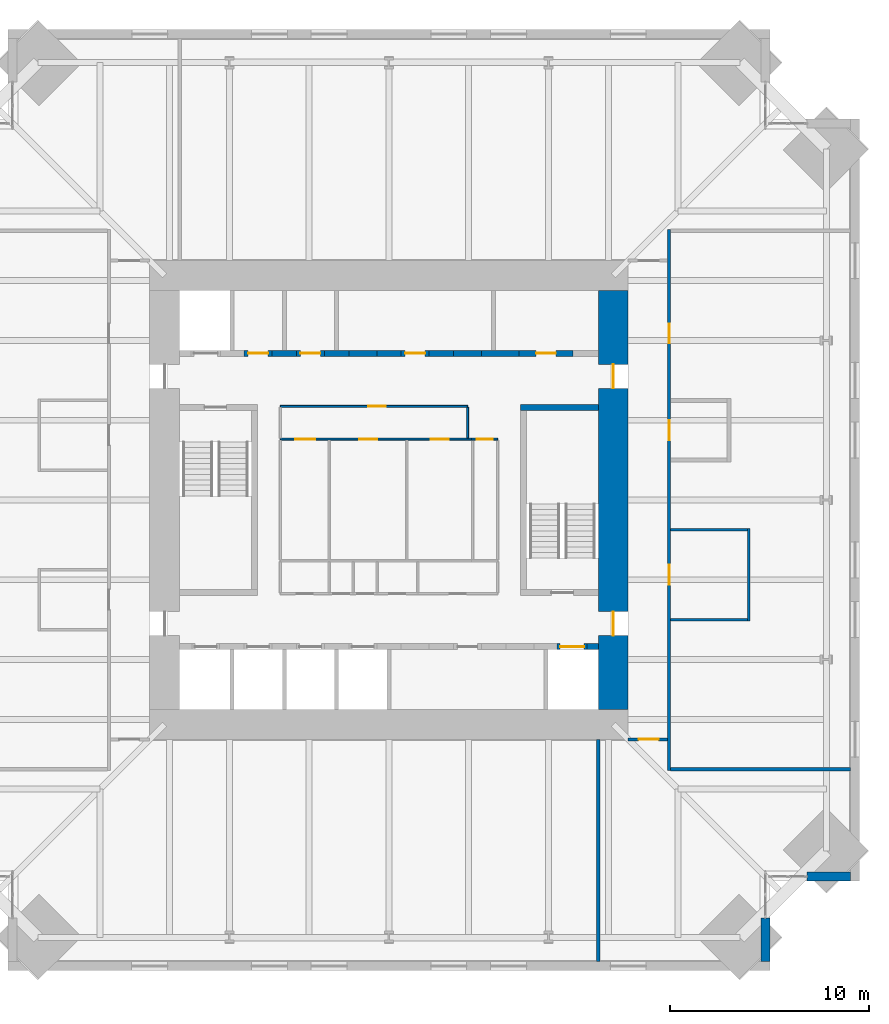
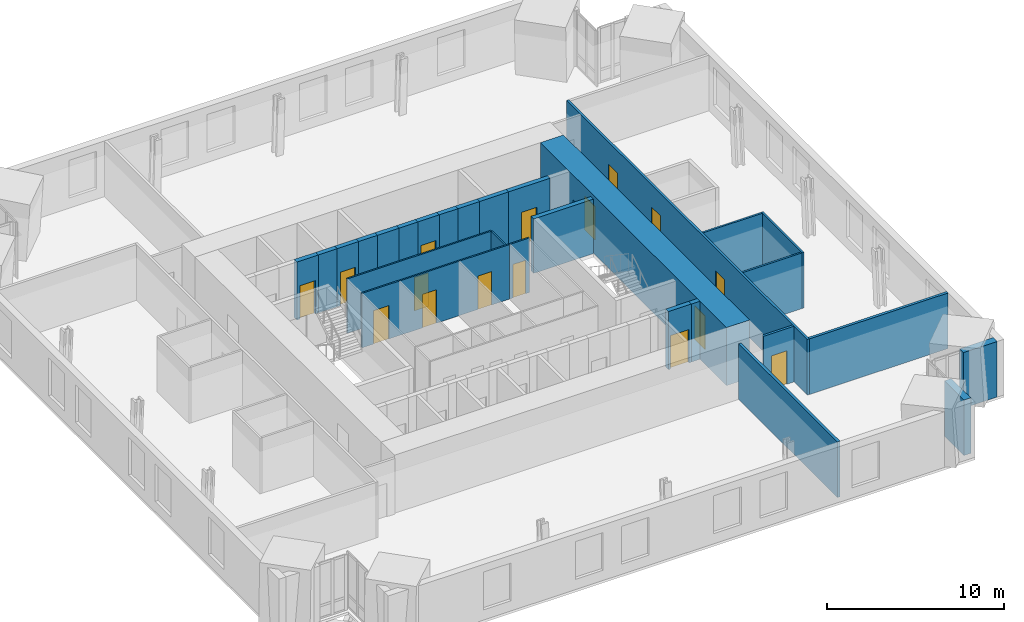
# One storey, part 12 of 14: 28 walls, 16 doors, 16 openings.
"""IFC4 building model written with IfcOpenShell, lengths in metres."""

from ifc_helpers import new_model, si_unit, direction, frame, frame_2d, origin, place, context, subcontext, project, spatial, rectangle, extrude, material, layer, layer_set, type_object, element, fill, save


model = new_model("IFC4")

# Units and contexts
model_context = context("Model", 3, precision=1e-05, world=origin(), true_north=direction((0.0, 1.0)))
body_context = subcontext(model_context, "Body", "Model", "MODEL_VIEW")
ifc_project = project(units=[si_unit("LENGTHUNIT", "METRE"), si_unit("AREAUNIT", "SQUARE_METRE"), si_unit("VOLUMEUNIT", "CUBIC_METRE"), si_unit("PLANEANGLEUNIT", "RADIAN"), si_unit("MASSUNIT", "GRAM", prefix="KILO")], contexts=[model_context])

# Site, building, storey
site_placement = place(None, origin())
site = spatial("IfcSite", under=ifc_project, at=site_placement, CompositionType="ELEMENT")
building_placement = place(site_placement, origin())
building = spatial("IfcBuilding", under=site, at=building_placement, Name="Peilmerk Tower", CompositionType="ELEMENT")
storey_placement = place(building_placement, frame((0.0, 0.0, 221.800048828125)))
storey = spatial("IfcBuildingStorey", under=building, at=storey_placement, Name="L48", CompositionType="ELEMENT", Elevation=221.800048828125)

# Walls
ifc_material_1 = material(Name="Precast concrete C45/55, board-marked finish", Category="concrete")
ifc_layer_1 = layer(ifc_material_1, 0.449951171875)
ifc_layer_set_1 = layer_set([ifc_layer_1], Name="Precast concrete C45/55, board-marked finish")
wall_type_1 = type_object("IfcWallType", Name="EW1 450 precast concrete facade wall, board-marked", PredefinedType="SOLIDWALL", material=ifc_layer_set_1)
for number, where, z_axis, x_axis, name in (
    (1, (18.875, -20.95361328125, 0.0), (0.0, 0.0, 1.0), (0.0, -1.0, 0.0), "Facade wall SEA L48"),
    (2, (20.95361328125, -18.875, 0.0), (0.0, 0.0, 1.0), (1.0, 0.0, 0.0), "Facade wall SEB L48"),
):
    element("IfcWall", number, at=place(storey_placement, frame(where, z_axis=z_axis, x_axis=x_axis)), inside=storey, type_object=wall_type_1, Name=name, PredefinedType="SOLIDWALL", context=body_context, shape_type="SweptSolid", body=[
        extrude(rectangle(XDim=2.1962890625, YDim=0.449951171875, at=frame_2d((1.09814453125, 0.0))), origin(), (0.0, 0.0, 1.0), 3.829833984375),
    ])

# Wall, openings, doors
ifc_material_2 = material(Name="Calcium silicate block", Category="masonry")
ifc_layer_2 = layer(ifc_material_2, 0.14990234375)
ifc_layer_set_2 = layer_set([ifc_layer_2], Name="Calcium silicate block")
wall_type_2 = type_object("IfcWallType", Name="IW1 150 corridor partition, EI 60", PredefinedType="PARTITIONING", material=ifc_layer_set_2)
wall_1_placement = place(storey_placement, frame((14.050048828125, -13.574951171875, 0.0), z_axis=(0.0, 0.0, 1.0), x_axis=(0.0, 1.0, 0.0)))
wall_1 = element("IfcWall", 3, at=wall_1_placement, inside=storey, type_object=wall_type_2, Name="Corridor wall E L48", PredefinedType="PARTITIONING", context=body_context, shape_type="SweptSolid", body=[
    extrude(rectangle(XDim=27.14990234375, YDim=0.14990234375, at=frame_2d((13.574951171875, 0.0))), origin(), (0.0, 0.0, 1.0), 3.829833984375),
])
opening_1_placement = place(wall_1_placement, frame((21.425048828125, 0.0, 0.0)))
opening_1 = element("IfcOpeningElement", 4, at=opening_1_placement, cuts=wall_1, Name="Opening D1", PredefinedType="OPENING", context=body_context, shape_type="SweptSolid", body=[
    extrude(rectangle(XDim=1.0, YDim=2.300048828125, at=frame_2d((0.5, 1.14990234375))), frame((0.0, 0.0849609375, 0.0), z_axis=(0.0, -1.0, 0.0), x_axis=(1.0, 0.0, 0.0)), (0.0, 0.0, 1.0), 0.169921875),
])
opening_2_placement = place(wall_1_placement, frame((9.324951171875, 0.0, 0.0)))
opening_2 = element("IfcOpeningElement", 5, at=opening_2_placement, cuts=wall_1, Name="Opening D1", PredefinedType="OPENING", context=body_context, shape_type="SweptSolid", body=[
    extrude(rectangle(XDim=1.0, YDim=2.300048828125, at=frame_2d((0.5, 1.14990234375))), frame((0.0, 0.0849609375, 0.0), z_axis=(0.0, -1.0, 0.0), x_axis=(1.0, 0.0, 0.0)), (0.0, 0.0, 1.0), 0.169921875),
])
opening_3_placement = place(wall_1_placement, frame((16.574951171875, 0.0, 0.0)))
opening_3 = element("IfcOpeningElement", 6, at=opening_3_placement, cuts=wall_1, Name="Opening D1", PredefinedType="OPENING", context=body_context, shape_type="SweptSolid", body=[
    extrude(rectangle(XDim=1.0, YDim=2.300048828125, at=frame_2d((0.5, 1.14990234375))), frame((0.0, 0.0849609375, 0.0), z_axis=(0.0, -1.0, 0.0), x_axis=(1.0, 0.0, 0.0)), (0.0, 0.0, 1.0), 0.169921875),
])
ifc_material_3 = material(Name="Timber door in steel frame", Category="steel")
door_type_1 = type_object("IfcDoorType", Name="D1 1000x2300 room door, EI2 30", OperationType="SINGLE_SWING_LEFT", PredefinedType="DOOR", material=ifc_material_3)
door_1_placement = place(opening_1_placement, frame((1.0, 0.0, 0.0), z_axis=(0.0, 0.0, 1.0), x_axis=(-1.0, 0.0, 0.0)))
door_1 = element("IfcDoor", 7, at=door_1_placement, inside=storey, type_object=door_type_1, Name="Door Office L48", OperationType="SINGLE_SWING_LEFT", OverallHeight=2.300048828125, OverallWidth=1.0, PredefinedType="DOOR", context=body_context, shape_type="SweptSolid", body=[
    extrude(rectangle(XDim=1.0, YDim=2.300048828125, at=frame_2d((0.5, 1.14990234375))), frame((0.0, 0.02490234375, 0.0), z_axis=(0.0, -1.0, 0.0), x_axis=(1.0, 0.0, 0.0)), (0.0, 0.0, 1.0), 0.050048828125),
])
fill(opening_1, door_1)
door_2_placement = place(opening_2_placement, frame((1.0, 0.0, 0.0), z_axis=(0.0, 0.0, 1.0), x_axis=(-1.0, 0.0, 0.0)))
door_2 = element("IfcDoor", 8, at=door_2_placement, inside=storey, type_object=door_type_1, Name="Door Meeting room L48", OperationType="SINGLE_SWING_LEFT", OverallHeight=2.300048828125, OverallWidth=1.0, PredefinedType="DOOR", context=body_context, shape_type="SweptSolid", body=[
    extrude(rectangle(XDim=1.0, YDim=2.300048828125, at=frame_2d((0.5, 1.14990234375))), frame((0.0, 0.02490234375, 0.0), z_axis=(0.0, -1.0, 0.0), x_axis=(1.0, 0.0, 0.0)), (0.0, 0.0, 1.0), 0.050048828125),
])
fill(opening_2, door_2)
door_3_placement = place(opening_3_placement, frame((1.0, 0.0, 0.0), z_axis=(0.0, 0.0, 1.0), x_axis=(-1.0, 0.0, 0.0)))
door_3 = element("IfcDoor", 9, at=door_3_placement, inside=storey, type_object=door_type_1, Name="Door Print room L48", OperationType="SINGLE_SWING_LEFT", OverallHeight=2.300048828125, OverallWidth=1.0, PredefinedType="DOOR", context=body_context, shape_type="SweptSolid", body=[
    extrude(rectangle(XDim=1.0, YDim=2.300048828125, at=frame_2d((0.5, 1.14990234375))), frame((0.0, 0.02490234375, 0.0), z_axis=(0.0, -1.0, 0.0), x_axis=(1.0, 0.0, 0.0)), (0.0, 0.0, 1.0), 0.050048828125),
])
fill(opening_3, door_3)

# Wall, opening, door
wall_2_placement = place(storey_placement, frame((13.97509765625, -12.0, 0.0), z_axis=(0.0, 0.0, 1.0), x_axis=(-1.0, 0.0, 0.0)))
wall_2 = element("IfcWall", 10, at=wall_2_placement, inside=storey, type_object=wall_type_2, Name="Corridor wall SE L48", PredefinedType="PARTITIONING", context=body_context, shape_type="SweptSolid", body=[
    extrude(rectangle(XDim=1.97509765625, YDim=0.14990234375, at=frame_2d((0.987548828125, 0.0))), origin(), (0.0, 0.0, 1.0), 3.829833984375),
])
opening_4_placement = place(wall_2_placement, frame((0.449951171875, 0.0, 0.0)))
opening_4 = element("IfcOpeningElement", 11, at=opening_4_placement, cuts=wall_2, Name="Opening D1", PredefinedType="OPENING", context=body_context, shape_type="SweptSolid", body=[
    extrude(rectangle(XDim=1.0, YDim=2.300048828125, at=frame_2d((0.5, 1.14990234375))), frame((0.0, 0.0849609375, 0.0), z_axis=(0.0, -1.0, 0.0), x_axis=(1.0, 0.0, 0.0)), (0.0, 0.0, 1.0), 0.169921875),
])
door_4_placement = place(opening_4_placement, origin())
door_4 = element("IfcDoor", 12, at=door_4_placement, inside=storey, type_object=door_type_1, Name="Door Open workspace L48", OperationType="SINGLE_SWING_LEFT", OverallHeight=2.300048828125, OverallWidth=1.0, PredefinedType="DOOR", context=body_context, shape_type="SweptSolid", body=[
    extrude(rectangle(XDim=1.0, YDim=2.300048828125, at=frame_2d((0.5, 1.14990234375))), frame((0.0, 0.02490234375, 0.0), z_axis=(0.0, -1.0, 0.0), x_axis=(1.0, 0.0, 0.0)), (0.0, 0.0, 1.0), 0.050048828125),
])
fill(opening_4, door_4)

# Wall
ifc_material_4 = material(Name="Concrete C35/45", Category="concrete")
ifc_layer_3 = layer(ifc_material_4, 0.300048828125)
ifc_layer_set_3 = layer_set([ifc_layer_3], Name="Concrete C35/45")
wall_type_3 = type_object("IfcWallType", Name="IW3 300 concrete stair enclosure wall, EI 120", PredefinedType="SOLIDWALL", material=ifc_layer_set_3)
wall_3_placement = place(storey_placement, frame((6.60009765625, 4.64990234375, 0.0), z_axis=(0.0, 0.0, 1.0), x_axis=(1.0, 0.0, 0.0)))
element("IfcWall", 13, at=wall_3_placement, inside=storey, type_object=wall_type_3, Name="Stair 2 enclosure L48", PredefinedType="SOLIDWALL", context=body_context, shape_type="SweptSolid", body=[
    extrude(rectangle(XDim=3.89990234375, YDim=0.300048828125, at=frame_2d((1.949951171875, 0.0))), origin(), (0.0, 0.0, 1.0), 3.75),
])

# Wall, openings, doors
ifc_material_5 = material(Name="Plasterboard on steel studs", Category="steel")
ifc_layer_4 = layer(ifc_material_5, 0.10009765625)
ifc_layer_set_4 = layer_set([ifc_layer_4], Name="Plasterboard on steel studs")
wall_type_4 = type_object("IfcWallType", Name="IW4 100 WC partition", PredefinedType="PARTITIONING", material=ifc_layer_set_4)
wall_4_placement = place(storey_placement, frame((-5.449951171875, 3.050048828125, 0.0), z_axis=(0.0, 0.0, 1.0), x_axis=(1.0, 0.0, 0.0)))
wall_4 = element("IfcWall", 14, at=wall_4_placement, inside=storey, type_object=wall_type_4, Name="WC wall L48", PredefinedType="PARTITIONING", context=body_context, shape_type="SweptSolid", body=[
    extrude(rectangle(XDim=9.599853515625, YDim=0.10009765625, at=frame_2d((4.7998046875, 0.0))), origin(), (0.0, 0.0, 1.0), 3.75),
])
opening_5_placement = place(wall_4_placement, frame((0.75, 0.0, 0.0)))
opening_5 = element("IfcOpeningElement", 15, at=opening_5_placement, cuts=wall_4, Name="Opening D6", PredefinedType="OPENING", context=body_context, shape_type="SweptSolid", body=[
    extrude(rectangle(XDim=1.0, YDim=2.300048828125, at=frame_2d((0.5, 1.14990234375))), frame((0.0, 0.06005859375, 0.0), z_axis=(0.0, -1.0, 0.0), x_axis=(1.0, 0.0, 0.0)), (0.0, 0.0, 1.0), 0.1201171875),
])
opening_6_placement = place(wall_4_placement, frame((3.949951171875, 0.0, 0.0)))
opening_6 = element("IfcOpeningElement", 16, at=opening_6_placement, cuts=wall_4, Name="Opening D5", PredefinedType="OPENING", context=body_context, shape_type="SweptSolid", body=[
    extrude(rectangle(XDim=0.89990234375, YDim=2.300048828125, at=frame_2d((0.449951171875, 1.14990234375))), frame((0.0, 0.06005859375, 0.0), z_axis=(0.0, -1.0, 0.0), x_axis=(1.0, 0.0, 0.0)), (0.0, 0.0, 1.0), 0.1201171875),
])
opening_7_placement = place(wall_4_placement, frame((7.550048828125, 0.0, 0.0)))
opening_7 = element("IfcOpeningElement", 17, at=opening_7_placement, cuts=wall_4, Name="Opening D5", PredefinedType="OPENING", context=body_context, shape_type="SweptSolid", body=[
    extrude(rectangle(XDim=0.89990234375, YDim=2.300048828125, at=frame_2d((0.449951171875, 1.14990234375))), frame((0.0, 0.06005859375, 0.0), z_axis=(0.0, -1.0, 0.0), x_axis=(1.0, 0.0, 0.0)), (0.0, 0.0, 1.0), 0.1201171875),
])
door_type_2 = type_object("IfcDoorType", Name="D5 900x2300 WC door", OperationType="SINGLE_SWING_LEFT", PredefinedType="DOOR", material=ifc_material_3)
door_5_placement = place(opening_6_placement, frame((0.89990234375, 0.0, 0.0), z_axis=(0.0, 0.0, 1.0), x_axis=(-1.0, 0.0, 0.0)))
door_5 = element("IfcDoor", 18, at=door_5_placement, inside=storey, type_object=door_type_2, Name="Female toilets door L48", OperationType="SINGLE_SWING_LEFT", OverallHeight=2.300048828125, OverallWidth=0.89990234375, PredefinedType="DOOR", context=body_context, shape_type="SweptSolid", body=[
    extrude(rectangle(XDim=0.89990234375, YDim=2.300048828125, at=frame_2d((0.449951171875, 1.14990234375))), frame((0.0, 0.02490234375, 0.0), z_axis=(0.0, -1.0, 0.0), x_axis=(1.0, 0.0, 0.0)), (0.0, 0.0, 1.0), 0.050048828125),
])
fill(opening_6, door_5)
door_6_placement = place(opening_7_placement, frame((0.89990234375, 0.0, 0.0), z_axis=(0.0, 0.0, 1.0), x_axis=(-1.0, 0.0, 0.0)))
door_6 = element("IfcDoor", 19, at=door_6_placement, inside=storey, type_object=door_type_2, Name="Male toilets door L48", OperationType="SINGLE_SWING_LEFT", OverallHeight=2.300048828125, OverallWidth=0.89990234375, PredefinedType="DOOR", context=body_context, shape_type="SweptSolid", body=[
    extrude(rectangle(XDim=0.89990234375, YDim=2.300048828125, at=frame_2d((0.449951171875, 1.14990234375))), frame((0.0, 0.02490234375, 0.0), z_axis=(0.0, -1.0, 0.0), x_axis=(1.0, 0.0, 0.0)), (0.0, 0.0, 1.0), 0.050048828125),
])
fill(opening_7, door_6)
door_type_3 = type_object("IfcDoorType", Name="D6 1000x2300 accessible WC door", OperationType="SLIDING_TO_LEFT", PredefinedType="DOOR", material=ifc_material_3)
door_7_placement = place(opening_5_placement, frame((1.0, 0.0, 0.0), z_axis=(0.0, 0.0, 1.0), x_axis=(-1.0, 0.0, 0.0)))
door_7 = element("IfcDoor", 20, at=door_7_placement, inside=storey, type_object=door_type_3, Name="Accessible WC door L48", OperationType="SLIDING_TO_LEFT", OverallHeight=2.300048828125, OverallWidth=1.0, PredefinedType="DOOR", context=body_context, shape_type="SweptSolid", body=[
    extrude(rectangle(XDim=1.0, YDim=2.300048828125, at=frame_2d((0.5, 1.14990234375))), frame((0.0, 0.02490234375, 0.0), z_axis=(0.0, -1.0, 0.0), x_axis=(1.0, 0.0, 0.0)), (0.0, 0.0, 1.0), 0.050048828125),
])
fill(opening_5, door_7)

# Wall, opening, door
ifc_material_6 = material(Name="Calcium silicate board on steel studs", Category="steel")
ifc_layer_5 = layer(ifc_material_6, 0.10009765625)
ifc_layer_set_5 = layer_set([ifc_layer_5], Name="Calcium silicate board on steel studs")
wall_type_5 = type_object("IfcWallType", Name="IW5 100 riser enclosure wall, EI 60", PredefinedType="PARTITIONING", material=ifc_layer_set_5)
wall_5_placement = place(storey_placement, frame((4.14990234375, 3.050048828125, 0.0), z_axis=(0.0, 0.0, 1.0), x_axis=(1.0, 0.0, 0.0)))
wall_5 = element("IfcWall", 21, at=wall_5_placement, inside=storey, type_object=wall_type_5, Name="Riser wall L48", PredefinedType="PARTITIONING", context=body_context, shape_type="SweptSolid", body=[
    extrude(rectangle(XDim=1.300048828125, YDim=0.10009765625, at=frame_2d((0.64990234375, 0.0))), origin(), (0.0, 0.0, 1.0), 3.75),
])
opening_8_placement = place(wall_5_placement, frame((0.25, 0.0, 0.0)))
opening_8 = element("IfcOpeningElement", 22, at=opening_8_placement, cuts=wall_5, Name="Opening D7", PredefinedType="OPENING", context=body_context, shape_type="SweptSolid", body=[
    extrude(rectangle(XDim=0.800048828125, YDim=2.300048828125, at=frame_2d((0.39990234375, 1.14990234375))), frame((0.0, 0.06005859375, 0.0), z_axis=(0.0, -1.0, 0.0), x_axis=(1.0, 0.0, 0.0)), (0.0, 0.0, 1.0), 0.1201171875),
])
ifc_material_7 = material(Name="Steel door in steel frame", Category="steel")
door_type_4 = type_object("IfcDoorType", Name="D7 800x2300 riser access door, EI2 60", OperationType="SINGLE_SWING_RIGHT", PredefinedType="DOOR", material=ifc_material_7)
door_8_placement = place(opening_8_placement, frame((0.800048828125, 0.0, 0.0), z_axis=(0.0, 0.0, 1.0), x_axis=(-1.0, 0.0, 0.0)))
door_8 = element("IfcDoor", 23, at=door_8_placement, inside=storey, type_object=door_type_4, Name="Plumbing riser door L48", OperationType="SINGLE_SWING_RIGHT", OverallHeight=2.300048828125, OverallWidth=0.800048828125, PredefinedType="DOOR", context=body_context, shape_type="SweptSolid", body=[
    extrude(rectangle(XDim=0.800048828125, YDim=2.300048828125, at=frame_2d((0.39990234375, 1.14990234375))), frame((0.0, 0.02490234375, 0.0), z_axis=(0.0, -1.0, 0.0), x_axis=(1.0, 0.0, 0.0)), (0.0, 0.0, 1.0), 0.050048828125),
])
fill(opening_8, door_8)

# Walls
ifc_material_8 = material(Name="Plasterboard on steel studs, double boarded with mineral wool", Category="steel")
ifc_layer_6 = layer(ifc_material_8, 0.125)
ifc_layer_set_6 = layer_set([ifc_layer_6], Name="Plasterboard on steel studs, double boarded with mineral wool")
wall_type_6 = type_object("IfcWallType", Name="IW7 125 acoustic partition, EI 30", PredefinedType="PARTITIONING", material=ifc_layer_set_6)
wall_6_placement = place(storey_placement, frame((18.050048828125, -6.0625, 0.0), z_axis=(0.0, 0.0, 1.0), x_axis=(0.0, 1.0, 0.0)))
element("IfcWall", 24, at=wall_6_placement, inside=storey, type_object=wall_type_6, Name="Acoustic partition Meeting room L48", PredefinedType="PARTITIONING", context=body_context, shape_type="SweptSolid", body=[
    extrude(rectangle(XDim=4.625, YDim=0.125, at=frame_2d((2.3125, 0.0))), origin(), (0.0, 0.0, 1.0), 3.829833984375),
])
for number, where, z_axis, x_axis, name in (
    (25, (14.125, -6.0, 0.0), (0.0, 0.0, 1.0), (1.0, 0.0, 0.0), "Acoustic partition Meeting room L48"),
    (26, (14.125, -1.5, 0.0), (0.0, 0.0, 1.0), (1.0, 0.0, 0.0), "Acoustic partition Meeting room L48"),
):
    element("IfcWall", number, at=place(storey_placement, frame(where, z_axis=z_axis, x_axis=x_axis)), inside=storey, type_object=wall_type_6, Name=name, PredefinedType="PARTITIONING", context=body_context, shape_type="SweptSolid", body=[
        extrude(rectangle(XDim=3.862548828125, YDim=0.125, at=frame_2d((1.93115234375, 0.0))), origin(), (0.0, 0.0, 1.0), 3.829833984375),
    ])
ifc_layer_7 = layer(ifc_material_2, 0.175048828125)
ifc_layer_set_7 = layer_set([ifc_layer_7], Name="Calcium silicate block")
wall_type_7 = type_object("IfcWallType", Name="IW8 175 tenant separating wall, EI 60", PredefinedType="PARTITIONING", material=ifc_layer_set_7)
wall_7_placement = place(storey_placement, frame((23.14990234375, -13.5, 0.0), z_axis=(0.0, 0.0, 1.0), x_axis=(-1.0, 0.0, 0.0)))
element("IfcWall", 27, at=wall_7_placement, inside=storey, type_object=wall_type_7, Name="Tenant separating wall SE L48", PredefinedType="PARTITIONING", context=body_context, shape_type="SweptSolid", body=[
    extrude(rectangle(XDim=9.02490234375, YDim=0.175048828125, at=frame_2d((4.512451171875, 0.0))), origin(), (0.0, 0.0, 1.0), 3.829833984375),
])
wall_8_placement = place(storey_placement, frame((10.5, -12.0, 0.0), z_axis=(0.0, 0.0, 1.0), x_axis=(0.0, -1.0, 0.0)))
element("IfcWall", 28, at=wall_8_placement, inside=storey, type_object=wall_type_7, Name="Tenant separating wall S1 L48", PredefinedType="PARTITIONING", context=body_context, shape_type="SweptSolid", body=[
    extrude(rectangle(XDim=11.14990234375, YDim=0.175048828125, at=frame_2d((5.574951171875, 0.0))), origin(), (0.0, 0.0, 1.0), 3.829833984375),
])

# Wall, opening, door
ifc_material_9 = material(Name="Fire-resisting plasterboard on steel studs", Category="steel")
ifc_layer_8 = layer(ifc_material_9, 0.10009765625)
ifc_layer_set_8 = layer_set([ifc_layer_8], Name="Fire-resisting plasterboard on steel studs")
wall_type_8 = type_object("IfcWallType", Name="IW9 100 WC lobby wall, EI 30", PredefinedType="PARTITIONING", material=ifc_layer_set_8)
wall_9_placement = place(storey_placement, frame((-5.449951171875, 4.699951171875, 0.0), z_axis=(0.0, 0.0, 1.0), x_axis=(1.0, 0.0, 0.0)))
wall_9 = element("IfcWall", 29, at=wall_9_placement, inside=storey, type_object=wall_type_8, Name="WC lobby wall L48", PredefinedType="PARTITIONING", context=body_context, shape_type="SweptSolid", body=[
    extrude(rectangle(XDim=9.39990234375, YDim=0.10009765625, at=frame_2d((4.699951171875, 0.0))), origin(), (0.0, 0.0, 1.0), 3.75),
])
opening_9_placement = place(wall_9_placement, frame((4.39990234375, 0.0, 0.0)))
opening_9 = element("IfcOpeningElement", 30, at=opening_9_placement, cuts=wall_9, Name="Opening D11", PredefinedType="OPENING", context=body_context, shape_type="SweptSolid", body=[
    extrude(rectangle(XDim=0.89990234375, YDim=2.300048828125, at=frame_2d((0.449951171875, 1.14990234375))), frame((0.0, 0.06005859375, 0.0), z_axis=(0.0, -1.0, 0.0), x_axis=(1.0, 0.0, 0.0)), (0.0, 0.0, 1.0), 0.1201171875),
])
door_type_5 = type_object("IfcDoorType", Name="D11 900x2300 WC lobby door, EI2 30", OperationType="SINGLE_SWING_LEFT", PredefinedType="DOOR", material=ifc_material_3)
door_9_placement = place(opening_9_placement, frame((0.89990234375, 0.0, 0.0), z_axis=(0.0, 0.0, 1.0), x_axis=(-1.0, 0.0, 0.0)))
door_9 = element("IfcDoor", 31, at=door_9_placement, inside=storey, type_object=door_type_5, Name="WC lobby door L48", OperationType="SINGLE_SWING_LEFT", OverallHeight=2.300048828125, OverallWidth=0.89990234375, PredefinedType="DOOR", context=body_context, shape_type="SweptSolid", body=[
    extrude(rectangle(XDim=0.89990234375, YDim=2.300048828125, at=frame_2d((0.449951171875, 1.14990234375))), frame((0.0, 0.02490234375, 0.0), z_axis=(0.0, -1.0, 0.0), x_axis=(1.0, 0.0, 0.0)), (0.0, 0.0, 1.0), 0.050048828125),
])
fill(opening_9, door_9)

# Wall
wall_10_placement = place(storey_placement, frame((3.949951171875, 3.10009765625, 0.0), z_axis=(0.0, 0.0, 1.0), x_axis=(0.0, 1.0, 0.0)))
element("IfcWall", 32, at=wall_10_placement, inside=storey, type_object=wall_type_8, Name="WC lobby wall L48", PredefinedType="PARTITIONING", context=body_context, shape_type="SweptSolid", body=[
    extrude(rectangle(XDim=1.5498046875, YDim=0.10009765625, at=frame_2d((0.77490234375, 0.0))), origin(), (0.0, 0.0, 1.0), 3.75),
])

# Wall, opening, door
ifc_layer_9 = layer(ifc_material_2, 0.300048828125)
ifc_layer_set_9 = layer_set([ifc_layer_9], Name="Calcium silicate block")
wall_type_9 = type_object("IfcWallType", Name="SH2 300 lift landing door panel, EI 120", PredefinedType="PARTITIONING", material=ifc_layer_set_9)
wall_11_placement = place(storey_placement, frame((-7.262451171875, 7.35009765625, 0.0), z_axis=(0.0, 0.0, 1.0), x_axis=(1.0, 0.0, 0.0)))
wall_11 = element("IfcWall", 33, at=wall_11_placement, inside=storey, type_object=wall_type_9, Name="Lift door panel N A1 L48", PredefinedType="PARTITIONING", context=body_context, shape_type="SweptSolid", body=[
    extrude(rectangle(XDim=1.39990234375, YDim=0.300048828125, at=frame_2d((0.699951171875, 0.0))), origin(), (0.0, 0.0, 1.0), 4.0),
])
opening_10_placement = place(wall_11_placement, frame((0.199951171875, 0.0, 0.0)))
opening_10 = element("IfcOpeningElement", 34, at=opening_10_placement, cuts=wall_11, Name="Opening D10", PredefinedType="OPENING", context=body_context, shape_type="SweptSolid", body=[
    extrude(rectangle(XDim=1.0, YDim=2.300048828125, at=frame_2d((0.5, 1.14990234375))), frame((0.0, 0.159912109375, 0.0), z_axis=(0.0, -1.0, 0.0), x_axis=(1.0, 0.0, 0.0)), (0.0, 0.0, 1.0), 0.320068359375),
])
door_type_6 = type_object("IfcDoorType", Name="D10 1000x2300 core room door, EI2 60", OperationType="SINGLE_SWING_RIGHT", PredefinedType="DOOR", material=ifc_material_7)
door_10_placement = place(opening_10_placement, origin())
door_10 = element("IfcDoor", 35, at=door_10_placement, inside=storey, type_object=door_type_6, Name="Door Water meter room L48", OperationType="SINGLE_SWING_RIGHT", OverallHeight=2.300048828125, OverallWidth=1.0, PredefinedType="DOOR", context=body_context, shape_type="SweptSolid", body=[
    extrude(rectangle(XDim=1.0, YDim=2.300048828125, at=frame_2d((0.5, 1.14990234375))), frame((0.0, 0.02490234375, 0.0), z_axis=(0.0, -1.0, 0.0), x_axis=(1.0, 0.0, 0.0)), (0.0, 0.0, 1.0), 0.050048828125),
])
fill(opening_10, door_10)

wall_12_placement = place(storey_placement, frame((-4.637451171875, 7.35009765625, 0.0), z_axis=(0.0, 0.0, 1.0), x_axis=(1.0, 0.0, 0.0)))
wall_12 = element("IfcWall", 36, at=wall_12_placement, inside=storey, type_object=wall_type_9, Name="Lift door panel N A2 L48", PredefinedType="PARTITIONING", context=body_context, shape_type="SweptSolid", body=[
    extrude(rectangle(XDim=1.39990234375, YDim=0.300048828125, at=frame_2d((0.699951171875, 0.0))), origin(), (0.0, 0.0, 1.0), 4.0),
])
opening_11_placement = place(wall_12_placement, frame((0.199951171875, 0.0, 0.0)))
opening_11 = element("IfcOpeningElement", 37, at=opening_11_placement, cuts=wall_12, Name="Opening D10", PredefinedType="OPENING", context=body_context, shape_type="SweptSolid", body=[
    extrude(rectangle(XDim=1.0, YDim=2.300048828125, at=frame_2d((0.5, 1.14990234375))), frame((0.0, 0.159912109375, 0.0), z_axis=(0.0, -1.0, 0.0), x_axis=(1.0, 0.0, 0.0)), (0.0, 0.0, 1.0), 0.320068359375),
])
door_11_placement = place(opening_11_placement, origin())
door_11 = element("IfcDoor", 38, at=door_11_placement, inside=storey, type_object=door_type_6, Name="Door Staff WC L48", OperationType="SINGLE_SWING_RIGHT", OverallHeight=2.300048828125, OverallWidth=1.0, PredefinedType="DOOR", context=body_context, shape_type="SweptSolid", body=[
    extrude(rectangle(XDim=1.0, YDim=2.300048828125, at=frame_2d((0.5, 1.14990234375))), frame((0.0, 0.02490234375, 0.0), z_axis=(0.0, -1.0, 0.0), x_axis=(1.0, 0.0, 0.0)), (0.0, 0.0, 1.0), 0.050048828125),
])
fill(opening_11, door_11)

# Wall
wall_13_placement = place(storey_placement, frame((-2.012451171875, 7.35009765625, 0.0), z_axis=(0.0, 0.0, 1.0), x_axis=(1.0, 0.0, 0.0)))
element("IfcWall", 39, at=wall_13_placement, inside=storey, type_object=wall_type_9, Name="Lift door panel N A3 L48", PredefinedType="PARTITIONING", context=body_context, shape_type="SweptSolid", body=[
    extrude(rectangle(XDim=1.39990234375, YDim=0.300048828125, at=frame_2d((0.699951171875, 0.0))), origin(), (0.0, 0.0, 1.0), 4.0),
])

# Wall, opening, door
wall_14_placement = place(storey_placement, frame((0.612548828125, 7.35009765625, 0.0), z_axis=(0.0, 0.0, 1.0), x_axis=(1.0, 0.0, 0.0)))
wall_14 = element("IfcWall", 40, at=wall_14_placement, inside=storey, type_object=wall_type_9, Name="Lift door panel N S1 L48", PredefinedType="PARTITIONING", context=body_context, shape_type="SweptSolid", body=[
    extrude(rectangle(XDim=1.39990234375, YDim=0.300048828125, at=frame_2d((0.699951171875, 0.0))), origin(), (0.0, 0.0, 1.0), 4.0),
])
opening_12_placement = place(wall_14_placement, frame((0.199951171875, 0.0, 0.0)))
opening_12 = element("IfcOpeningElement", 41, at=opening_12_placement, cuts=wall_14, Name="Opening D10", PredefinedType="OPENING", context=body_context, shape_type="SweptSolid", body=[
    extrude(rectangle(XDim=1.0, YDim=2.300048828125, at=frame_2d((0.5, 1.14990234375))), frame((0.0, 0.159912109375, 0.0), z_axis=(0.0, -1.0, 0.0), x_axis=(1.0, 0.0, 0.0)), (0.0, 0.0, 1.0), 0.320068359375),
])
door_12_placement = place(opening_12_placement, origin())
door_12 = element("IfcDoor", 42, at=door_12_placement, inside=storey, type_object=door_type_6, Name="Door Staff room L48", OperationType="SINGLE_SWING_RIGHT", OverallHeight=2.300048828125, OverallWidth=1.0, PredefinedType="DOOR", context=body_context, shape_type="SweptSolid", body=[
    extrude(rectangle(XDim=1.0, YDim=2.300048828125, at=frame_2d((0.5, 1.14990234375))), frame((0.0, 0.02490234375, 0.0), z_axis=(0.0, -1.0, 0.0), x_axis=(1.0, 0.0, 0.0)), (0.0, 0.0, 1.0), 0.050048828125),
])
fill(opening_12, door_12)

# Wall
wall_15_placement = place(storey_placement, frame((3.237548828125, 7.35009765625, 0.0), z_axis=(0.0, 0.0, 1.0), x_axis=(1.0, 0.0, 0.0)))
element("IfcWall", 43, at=wall_15_placement, inside=storey, type_object=wall_type_9, Name="Lift door panel N S2 L48", PredefinedType="PARTITIONING", context=body_context, shape_type="SweptSolid", body=[
    extrude(rectangle(XDim=1.39990234375, YDim=0.300048828125, at=frame_2d((0.699951171875, 0.0))), origin(), (0.0, 0.0, 1.0), 4.0),
])

# Wall, opening, door
wall_16_placement = place(storey_placement, frame((6.52490234375, 7.35009765625, 0.0), z_axis=(0.0, 0.0, 1.0), x_axis=(1.0, 0.0, 0.0)))
wall_16 = element("IfcWall", 44, at=wall_16_placement, inside=storey, type_object=wall_type_9, Name="Lift door panel N GL1 L48", PredefinedType="PARTITIONING", context=body_context, shape_type="SweptSolid", body=[
    extrude(rectangle(XDim=2.7001953125, YDim=0.300048828125, at=frame_2d((1.35009765625, 0.0))), origin(), (0.0, 0.0, 1.0), 4.0),
])
opening_13_placement = place(wall_16_placement, frame((0.85009765625, 0.0, 0.0)))
opening_13 = element("IfcOpeningElement", 45, at=opening_13_placement, cuts=wall_16, Name="Opening D10", PredefinedType="OPENING", context=body_context, shape_type="SweptSolid", body=[
    extrude(rectangle(XDim=1.0, YDim=2.300048828125, at=frame_2d((0.5, 1.14990234375))), frame((0.0, 0.159912109375, 0.0), z_axis=(0.0, -1.0, 0.0), x_axis=(1.0, 0.0, 0.0)), (0.0, 0.0, 1.0), 0.320068359375),
])
door_13_placement = place(opening_13_placement, origin())
door_13 = element("IfcDoor", 46, at=door_13_placement, inside=storey, type_object=door_type_6, Name="Door IT room L48", OperationType="SINGLE_SWING_RIGHT", OverallHeight=2.300048828125, OverallWidth=1.0, PredefinedType="DOOR", context=body_context, shape_type="SweptSolid", body=[
    extrude(rectangle(XDim=1.0, YDim=2.300048828125, at=frame_2d((0.5, 1.14990234375))), frame((0.0, 0.02490234375, 0.0), z_axis=(0.0, -1.0, 0.0), x_axis=(1.0, 0.0, 0.0)), (0.0, 0.0, 1.0), 0.050048828125),
])
fill(opening_13, door_13)

wall_17_placement = place(storey_placement, frame((8.4375, -7.35009765625, 0.0), z_axis=(0.0, 0.0, 1.0), x_axis=(1.0, 0.0, 0.0)))
wall_17 = element("IfcWall", 47, at=wall_17_placement, inside=storey, type_object=wall_type_9, Name="Lift door panel S FL2 L48", PredefinedType="PARTITIONING", context=body_context, shape_type="SweptSolid", body=[
    extrude(rectangle(XDim=1.5, YDim=0.300048828125, at=frame_2d((0.75, 0.0))), origin(), (0.0, 0.0, 1.0), 4.0),
])
opening_14_placement = place(wall_17_placement, frame((0.14990234375, 0.0, 0.0)))
opening_14 = element("IfcOpeningElement", 48, at=opening_14_placement, cuts=wall_17, Name="Opening LD2", PredefinedType="OPENING", context=body_context, shape_type="SweptSolid", body=[
    extrude(rectangle(XDim=1.199951171875, YDim=2.300048828125, at=frame_2d((0.60009765625, 1.14990234375))), frame((0.0, 0.159912109375, 0.0), z_axis=(0.0, -1.0, 0.0), x_axis=(1.0, 0.0, 0.0)), (0.0, 0.0, 1.0), 0.320068359375),
])
ifc_material_10 = material(Name="Stainless steel landing door", Category="steel")
door_type_7 = type_object("IfcDoorType", Name="LD2 1200x2300 lift landing door, sliding, EI2 60", OperationType="SLIDING_TO_LEFT", PredefinedType="DOOR", material=ifc_material_10)
door_14_placement = place(opening_14_placement, origin())
door_14 = element("IfcDoor", 49, at=door_14_placement, inside=storey, type_object=door_type_7, Name="Lift landing door FL2 L48", OperationType="SLIDING_TO_LEFT", OverallHeight=2.300048828125, OverallWidth=1.199951171875, PredefinedType="DOOR", context=body_context, shape_type="SweptSolid", body=[
    extrude(rectangle(XDim=1.199951171875, YDim=2.300048828125, at=frame_2d((0.60009765625, 1.14990234375))), frame((0.0, 0.02490234375, 0.0), z_axis=(0.0, -1.0, 0.0), x_axis=(1.0, 0.0, 0.0)), (0.0, 0.0, 1.0), 0.050048828125),
])
fill(opening_14, door_14)

# Wall, openings, doors
ifc_material_11 = material(Name="Concrete C55/67", Category="concrete")
ifc_layer_10 = layer(ifc_material_11, 1.5)
ifc_layer_set_10 = layer_set([ifc_layer_10], Name="Concrete C55/67")
wall_type_10 = type_object("IfcWallType", Name="SW1 1500 core wall", PredefinedType="SHEAR", material=ifc_layer_set_10)
wall_18_placement = place(storey_placement, frame((11.25, 10.5, 0.0), z_axis=(0.0, 0.0, 1.0), x_axis=(0.0, -1.0, 0.0)))
wall_18 = element("IfcWall", 50, at=wall_18_placement, inside=storey, type_object=wall_type_10, Name="Core wall E L48", PredefinedType="SHEAR", context=body_context, shape_type="SweptSolid", body=[
    extrude(rectangle(XDim=21.0, YDim=1.5, at=frame_2d((10.5, 0.0))), origin(), (0.0, 0.0, 1.0), 4.0),
])
opening_15_placement = place(wall_18_placement, frame((3.699951171875, 0.0, 0.0)))
opening_15 = element("IfcOpeningElement", 51, at=opening_15_placement, cuts=wall_18, Name="Opening D3", PredefinedType="OPENING", context=body_context, shape_type="SweptSolid", body=[
    extrude(rectangle(XDim=1.199951171875, YDim=2.300048828125, at=frame_2d((0.60009765625, 1.14990234375))), frame((0.0, 0.760009765625, 0.0), z_axis=(0.0, -1.0, 0.0), x_axis=(1.0, 0.0, 0.0)), (0.0, 0.0, 1.0), 1.52001953125),
])
opening_16_placement = place(wall_18_placement, frame((16.10009765625, 0.0, 0.0)))
opening_16 = element("IfcOpeningElement", 52, at=opening_16_placement, cuts=wall_18, Name="Opening D3", PredefinedType="OPENING", context=body_context, shape_type="SweptSolid", body=[
    extrude(rectangle(XDim=1.199951171875, YDim=2.300048828125, at=frame_2d((0.60009765625, 1.14990234375))), frame((0.0, 0.760009765625, 0.0), z_axis=(0.0, -1.0, 0.0), x_axis=(1.0, 0.0, 0.0)), (0.0, 0.0, 1.0), 1.52001953125),
])
door_type_8 = type_object("IfcDoorType", Name="D3 1200x2300 core door, EI2 60", OperationType="SINGLE_SWING_LEFT", PredefinedType="DOOR", material=ifc_material_7)
door_15_placement = place(opening_15_placement, frame((1.199951171875, 0.0, 0.0), z_axis=(0.0, 0.0, 1.0), x_axis=(-1.0, 0.0, 0.0)))
door_15 = element("IfcDoor", 53, at=door_15_placement, inside=storey, type_object=door_type_8, Name="Core door L48", OperationType="SINGLE_SWING_LEFT", OverallHeight=2.300048828125, OverallWidth=1.199951171875, PredefinedType="DOOR", context=body_context, shape_type="SweptSolid", body=[
    extrude(rectangle(XDim=1.199951171875, YDim=2.300048828125, at=frame_2d((0.60009765625, 1.14990234375))), frame((0.0, 0.02490234375, 0.0), z_axis=(0.0, -1.0, 0.0), x_axis=(1.0, 0.0, 0.0)), (0.0, 0.0, 1.0), 0.050048828125),
])
fill(opening_15, door_15)
door_16_placement = place(opening_16_placement, frame((1.199951171875, 0.0, 0.0), z_axis=(0.0, 0.0, 1.0), x_axis=(-1.0, 0.0, 0.0)))
door_16 = element("IfcDoor", 54, at=door_16_placement, inside=storey, type_object=door_type_8, Name="Core door L48", OperationType="SINGLE_SWING_LEFT", OverallHeight=2.300048828125, OverallWidth=1.199951171875, PredefinedType="DOOR", context=body_context, shape_type="SweptSolid", body=[
    extrude(rectangle(XDim=1.199951171875, YDim=2.300048828125, at=frame_2d((0.60009765625, 1.14990234375))), frame((0.0, 0.02490234375, 0.0), z_axis=(0.0, -1.0, 0.0), x_axis=(1.0, 0.0, 0.0)), (0.0, 0.0, 1.0), 0.050048828125),
])
fill(opening_16, door_16)

# Walls
ifc_layer_11 = layer(ifc_material_11, 0.300048828125)
ifc_layer_set_11 = layer_set([ifc_layer_11], Name="Concrete C55/67")
wall_type_11 = type_object("IfcWallType", Name="SW2 300 lift bank pier", PredefinedType="SHEAR", material=ifc_layer_set_11)
for number, where, z_axis, x_axis, name in (
    (55, (-5.862548828125, 7.35009765625, 0.0), (0.0, 0.0, 1.0), (1.0, 0.0, 0.0), "Lift bank pier N L48"),
    (56, (-3.237548828125, 7.35009765625, 0.0), (0.0, 0.0, 1.0), (1.0, 0.0, 0.0), "Lift bank pier N L48"),
    (57, (-0.612548828125, 7.35009765625, 0.0), (0.0, 0.0, 1.0), (1.0, 0.0, 0.0), "Lift bank pier N L48"),
    (58, (2.012451171875, 7.35009765625, 0.0), (0.0, 0.0, 1.0), (1.0, 0.0, 0.0), "Lift bank pier N L48"),
):
    element("IfcWall", number, at=place(storey_placement, frame(where, z_axis=z_axis, x_axis=x_axis)), inside=storey, type_object=wall_type_11, Name=name, PredefinedType="SHEAR", context=body_context, shape_type="SweptSolid", body=[
        extrude(rectangle(XDim=1.22509765625, YDim=0.300048828125, at=frame_2d((0.612548828125, 0.0))), origin(), (0.0, 0.0, 1.0), 4.0),
    ])
wall_19_placement = place(storey_placement, frame((4.637451171875, 7.35009765625, 0.0), z_axis=(0.0, 0.0, 1.0), x_axis=(1.0, 0.0, 0.0)))
element("IfcWall", 59, at=wall_19_placement, inside=storey, type_object=wall_type_11, Name="Lift bank pier N L48", PredefinedType="SHEAR", context=body_context, shape_type="SweptSolid", body=[
    extrude(rectangle(XDim=1.887451171875, YDim=0.300048828125, at=frame_2d((0.94384765625, 0.0))), origin(), (0.0, 0.0, 1.0), 4.0),
])
wall_20_placement = place(storey_placement, frame((9.9375, -7.35009765625, 0.0), z_axis=(0.0, 0.0, 1.0), x_axis=(1.0, 0.0, 0.0)))
element("IfcWall", 60, at=wall_20_placement, inside=storey, type_object=wall_type_11, Name="Lift bank pier S L48", PredefinedType="SHEAR", context=body_context, shape_type="SweptSolid", body=[
    extrude(rectangle(XDim=0.5625, YDim=0.300048828125, at=frame_2d((0.28125, 0.0))), origin(), (0.0, 0.0, 1.0), 4.0),
])

save(model, "model.ifc")
